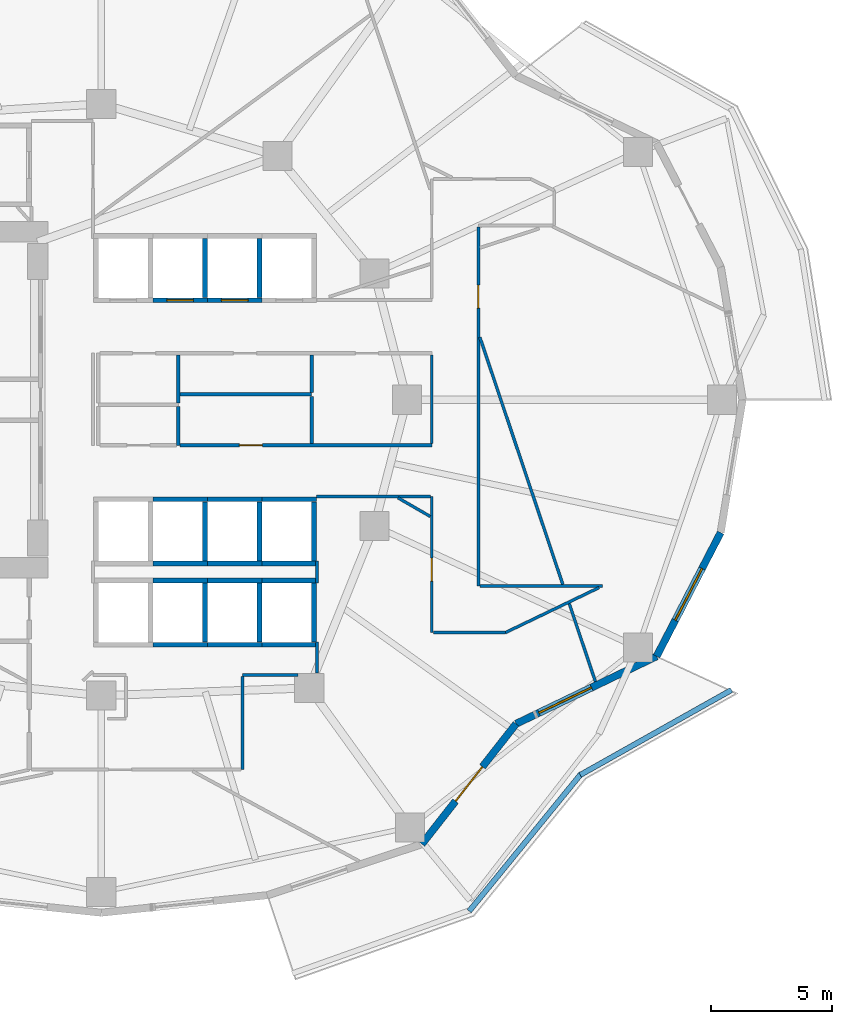
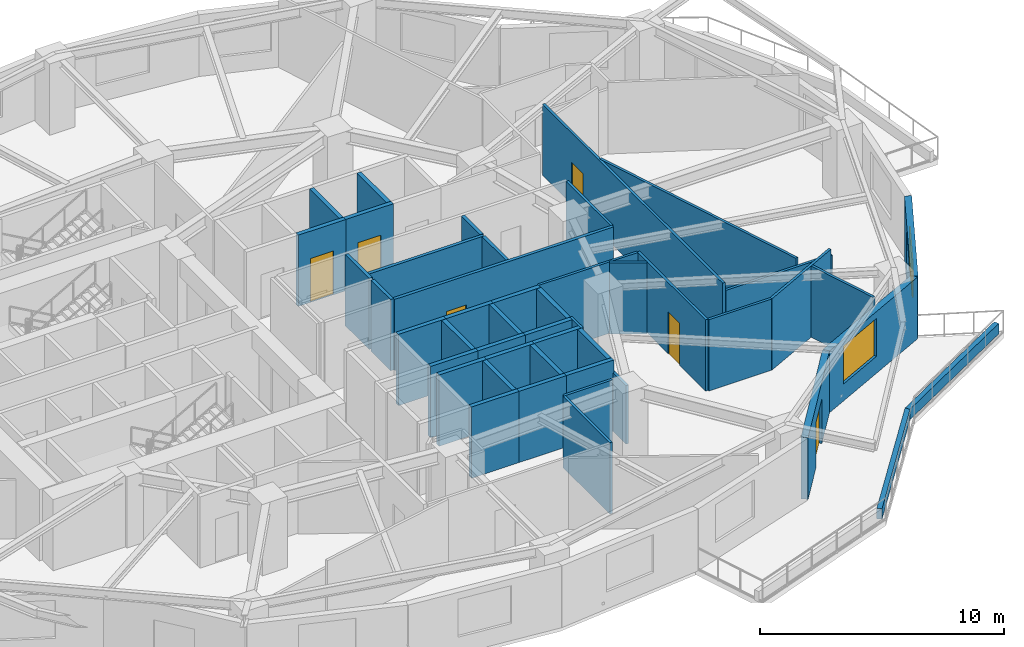
# One storey, part 5 of 11: 47 walls, 6 doors, 2 windows, 8 openings.
"""IFC4 building model written with IfcOpenShell, lengths in metres."""

from ifc_helpers import new_model, si_unit, direction, frame, frame_2d, origin, place, context, subcontext, project, spatial, rectangle, extrude, material, layer, layer_set, type_object, element, fill, save


model = new_model("IFC4")

# Units and contexts
model_context = context("Model", 3, precision=1e-05, world=origin(), true_north=direction((0.0, 1.0)))
body_context = subcontext(model_context, "Body", "Model", "MODEL_VIEW")
ifc_project = project(units=[si_unit("LENGTHUNIT", "METRE"), si_unit("AREAUNIT", "SQUARE_METRE"), si_unit("VOLUMEUNIT", "CUBIC_METRE"), si_unit("PLANEANGLEUNIT", "RADIAN"), si_unit("MASSUNIT", "GRAM", prefix="KILO")], contexts=[model_context])

# Site, building, storey
site_placement = place(None, origin())
site = spatial("IfcSite", under=ifc_project, at=site_placement, CompositionType="ELEMENT")
building_placement = place(site_placement, origin())
building = spatial("IfcBuilding", under=site, at=building_placement, Name="Kolvaren Gate Tower and Convention Centre", CompositionType="ELEMENT")
storey_placement = place(building_placement, frame((0.0, 0.0, 88.10009765625)))
storey = spatial("IfcBuildingStorey", under=building, at=storey_placement, Name="L21", CompositionType="ELEMENT", Elevation=88.10009765625)

# Walls
ifc_material_1 = material(Name="Fire-Rated Acoustic Gypsum Stud Partition", Category="gypsum")
ifc_layer_1 = layer(ifc_material_1, 0.1201171875)
ifc_layer_set_1 = layer_set([ifc_layer_1], Name="Fire-Rated Acoustic Gypsum Stud Partition")
wall_type_1 = type_object("IfcWallType", Name="ARCH-WL-PART-120", PredefinedType="PARTITIONING", material=ifc_layer_set_1)
wall_1_placement = place(storey_placement, frame((35.949951171875, 15.64990234375, 0.0), z_axis=(0.0, 0.0, 1.0), x_axis=(1.0, 0.0, 0.0)))
element("IfcWall", 1, at=wall_1_placement, inside=storey, type_object=wall_type_1, Name="Interior Partition WL-L21-INT-023", PredefinedType="PARTITIONING", context=body_context, shape_type="SweptSolid", body=[
    extrude(rectangle(XDim=2.291015625, YDim=0.1201171875, at=frame_2d((1.1455078125, 0.0))), origin(), (0.0, 0.0, 1.0), 3.56982421875),
])
wall_2_placement = place(storey_placement, frame((35.949951171875, 11.75, 0.0), z_axis=(0.0, 0.0, 1.0), x_axis=(0.0, 1.0, 0.0)))
element("IfcWall", 2, at=wall_2_placement, inside=storey, type_object=wall_type_1, Name="Interior Partition WL-L21-INT-024", PredefinedType="PARTITIONING", context=body_context, shape_type="SweptSolid", body=[
    extrude(rectangle(XDim=3.837890625, YDim=0.1201171875, at=frame_2d((1.9189453125, 0.0))), origin(), (0.0, 0.0, 1.0), 3.56982421875),
])

# Wall, opening, door
wall_3_placement = place(storey_placement, frame((43.75, 17.39990234375, 0.0), z_axis=(0.0, 0.0, 1.0), x_axis=(0.0, 1.0, 0.0)))
wall_3 = element("IfcWall", 3, at=wall_3_placement, inside=storey, type_object=wall_type_1, Name="Interior Partition WL-L21-INT-032", PredefinedType="PARTITIONING", context=body_context, shape_type="SweptSolid", body=[
    extrude(rectangle(XDim=5.6201171875, YDim=0.1201171875, at=frame_2d((2.81005859375, 0.0))), origin(), (0.0, 0.0, 1.0), 3.56982421875),
])
opening_1_placement = place(wall_3_placement, frame((2.125, 0.0, 0.0)))
opening_1 = element("IfcOpeningElement", 4, at=opening_1_placement, cuts=wall_3, Name="Opening DR-01", PredefinedType="OPENING", context=body_context, shape_type="SweptSolid", body=[
    extrude(rectangle(XDim=0.949951171875, YDim=2.10009765625, at=frame_2d((0.47509765625, 1.050048828125))), frame((0.0, 0.070068359375, 0.0), z_axis=(0.0, -1.0, 0.0), x_axis=(1.0, 0.0, 0.0)), (0.0, 0.0, 1.0), 0.14013671875),
])
ifc_material_2 = material(Name="Painted Architectural Steelwork ASTM A500 Grade C 345 MPa", Category="steel")
door_type_1 = type_object("IfcDoorType", Name="ARCH-DR-RISER-950", OperationType="SINGLE_SWING_RIGHT", PredefinedType="DOOR", material=ifc_material_2)
door_1_placement = place(opening_1_placement, origin())
door_1 = element("IfcDoor", 5, at=door_1_placement, inside=storey, type_object=door_type_1, Name="Conference and Training Seminar Room Door", OperationType="SINGLE_SWING_LEFT", OverallHeight=2.10009765625, OverallWidth=0.949951171875, PredefinedType="DOOR", context=body_context, shape_type="SweptSolid", body=[
    extrude(rectangle(XDim=0.949951171875, YDim=2.10009765625, at=frame_2d((0.47509765625, 1.050048828125))), frame((0.0, 0.02490234375, 0.0), z_axis=(0.0, -1.0, 0.0), x_axis=(1.0, 0.0, 0.0)), (0.0, 0.0, 1.0), 0.050048828125),
])
fill(opening_1, door_1)

# Wall
wall_4_placement = place(storey_placement, frame((43.75, 25.197021484375, 0.0), z_axis=(0.0, 0.0, 1.0), x_axis=(0.0, 1.0, 0.0)))
element("IfcWall", 6, at=wall_4_placement, inside=storey, type_object=wall_type_1, Name="Interior Partition WL-L21-INT-033", PredefinedType="PARTITIONING", context=body_context, shape_type="SweptSolid", body=[
    extrude(rectangle(XDim=3.64599609375, YDim=0.1201171875, at=frame_2d((1.822998046875, 0.0))), origin(), (0.0, 0.0, 1.0), 3.56982421875),
])

# Wall, opening, door
wall_5_placement = place(storey_placement, frame((45.669921875, 19.320068359375, 0.0), z_axis=(0.0, 0.0, 1.0), x_axis=(0.0, 1.0, 0.0)))
wall_5 = element("IfcWall", 7, at=wall_5_placement, inside=storey, type_object=wall_type_1, Name="Interior Partition WL-L21-INT-039", PredefinedType="PARTITIONING", context=body_context, shape_type="SweptSolid", body=[
    extrude(rectangle(XDim=14.7978515625, YDim=0.1201171875, at=frame_2d((7.39892578125, 0.0))), origin(), (0.0, 0.0, 1.0), 3.56982421875),
])
opening_2_placement = place(wall_5_placement, frame((11.4580078125, 0.0, 0.0)))
opening_2 = element("IfcOpeningElement", 8, at=opening_2_placement, cuts=wall_5, Name="Opening DR-01", PredefinedType="OPENING", context=body_context, shape_type="SweptSolid", body=[
    extrude(rectangle(XDim=0.949951171875, YDim=2.10009765625, at=frame_2d((0.47509765625, 1.050048828125))), frame((0.0, 0.070068359375, 0.0), z_axis=(0.0, -1.0, 0.0), x_axis=(1.0, 0.0, 0.0)), (0.0, 0.0, 1.0), 0.14013671875),
])
door_2_placement = place(opening_2_placement, origin())
door_2 = element("IfcDoor", 9, at=door_2_placement, inside=storey, type_object=door_type_1, Name="Conference and Training Seminar Room Door", OperationType="SINGLE_SWING_RIGHT", OverallHeight=2.10009765625, OverallWidth=0.949951171875, PredefinedType="DOOR", context=body_context, shape_type="SweptSolid", body=[
    extrude(rectangle(XDim=0.949951171875, YDim=2.10009765625, at=frame_2d((0.47509765625, 1.050048828125))), frame((0.0, 0.02490234375, 0.0), z_axis=(0.0, -1.0, 0.0), x_axis=(1.0, 0.0, 0.0)), (0.0, 0.0, 1.0), 0.050048828125),
])
fill(opening_2, door_2)

# Walls
wall_6_placement = place(storey_placement, frame((45.73193359375, 19.320068359375, 0.0), z_axis=(0.0, 0.0, 1.0), x_axis=(1.0, 0.0, 0.0)))
element("IfcWall", 10, at=wall_6_placement, inside=storey, type_object=wall_type_1, Name="Interior Partition WL-L21-INT-040", PredefinedType="PARTITIONING", context=body_context, shape_type="SweptSolid", body=[
    extrude(rectangle(XDim=5.047119140625, YDim=0.1201171875, at=frame_2d((2.5234375, 0.0))), origin(), (0.0, 0.0, 1.0), 3.204833984375),
])
wall_7_placement = place(storey_placement, frame((46.782958984375, 17.39990234375, 0.0), z_axis=(0.0, 0.0, 1.0), x_axis=(0.901339159108, 0.433113980679, 0.0)))
element("IfcWall", 11, at=wall_7_placement, inside=storey, type_object=wall_type_1, Name="Interior Partition WL-L21-INT-041", PredefinedType="PARTITIONING", context=body_context, shape_type="SweptSolid", body=[
    extrude(rectangle(XDim=4.290283203125, YDim=0.1201171875, at=frame_2d((2.14501953125, 0.0))), origin(), (0.0, 0.0, 1.0), 3.56982421875),
])
wall_8_placement = place(storey_placement, frame((43.81201171875, 17.39990234375, 0.0), z_axis=(0.0, 0.0, 1.0), x_axis=(1.0, 0.0, 0.0)))
element("IfcWall", 12, at=wall_8_placement, inside=storey, type_object=wall_type_1, Name="Interior Partition WL-L21-INT-042", PredefinedType="PARTITIONING", context=body_context, shape_type="SweptSolid", body=[
    extrude(rectangle(XDim=2.970947265625, YDim=0.1201171875, at=frame_2d((1.4853515625, 0.0))), origin(), (0.0, 0.0, 1.0), 3.56982421875),
])
wall_9_placement = place(storey_placement, frame((39.0, 23.02001953125, 0.0), z_axis=(0.0, 0.0, 1.0), x_axis=(1.0, 0.0, 0.0)))
element("IfcWall", 13, at=wall_9_placement, inside=storey, type_object=wall_type_1, Name="Interior Partition WL-L21-INT-043", PredefinedType="PARTITIONING", context=body_context, shape_type="SweptSolid", body=[
    extrude(rectangle(XDim=4.68798828125, YDim=0.1201171875, at=frame_2d((2.343994140625, 0.0))), origin(), (0.0, 0.0, 1.0), 3.56982421875),
])
wall_10_placement = place(storey_placement, frame((39.02001953125, 15.741943359375, 0.0), z_axis=(0.0, 0.0, 1.0), x_axis=(0.0, 1.0, 0.0)))
element("IfcWall", 14, at=wall_10_placement, inside=storey, type_object=wall_type_1, Name="Interior Partition WL-L21-INT-044", PredefinedType="PARTITIONING", context=body_context, shape_type="SweptSolid", body=[
    extrude(rectangle(XDim=1.26806640625, YDim=0.1201171875, at=frame_2d((0.634033203125, 0.0))), origin(), (0.0, 0.0, 1.0), 2.933837890625),
])
wall_11_placement = place(storey_placement, frame((39.02001953125, 19.43994140625, 0.0), z_axis=(0.0, 0.0, 1.0), x_axis=(0.0, 1.0, 0.0)))
element("IfcWall", 15, at=wall_11_placement, inside=storey, type_object=wall_type_1, Name="Interior Partition WL-L21-INT-044 (2)", PredefinedType="PARTITIONING", context=body_context, shape_type="SweptSolid", body=[
    extrude(rectangle(XDim=0.920166015625, YDim=0.1201171875, at=frame_2d((0.4599609375, 0.0))), origin(), (0.0, 0.0, 1.0), 3.56982421875),
])
wall_12_placement = place(storey_placement, frame((42.35546875, 22.9580078125, 0.0), z_axis=(0.0, 0.0, 1.0), x_axis=(0.866037617598, -0.499978844458, 0.0)))
element("IfcWall", 16, at=wall_12_placement, inside=storey, type_object=wall_type_1, Name="Interior Partition WL-L21-INT-053", PredefinedType="PARTITIONING", context=body_context, shape_type="SweptSolid", body=[
    extrude(rectangle(XDim=1.53857421875, YDim=0.1201171875, at=frame_2d((0.769287109375, 0.0))), origin(), (0.0, 0.0, 1.0), 3.56982421875),
])
wall_13_placement = place(storey_placement, frame((45.73193359375, 29.5791015625, 0.0), z_axis=(0.0, 0.0, 1.0), x_axis=(0.318099793934, -0.948057235139, 0.0)))
element("IfcWall", 17, at=wall_13_placement, inside=storey, type_object=wall_type_1, Name="Interior Partition WL-L21-INT-055", PredefinedType="PARTITIONING", context=body_context, shape_type="SweptSolid", body=[
    extrude(rectangle(XDim=10.755615234375, YDim=0.1201171875, at=frame_2d((5.3779296875, 0.0))), origin(), (0.0, 0.0, 1.0), 3.56982421875),
])
wall_14_placement = place(storey_placement, frame((49.4169921875, 18.5966796875, 0.0), z_axis=(0.0, 0.0, 1.0), x_axis=(0.318105552227, -0.948055303051, 0.0)))
element("IfcWall", 18, at=wall_14_placement, inside=storey, type_object=wall_type_1, Name="Interior Partition WL-L21-INT-056", PredefinedType="PARTITIONING", context=body_context, shape_type="SweptSolid", body=[
    extrude(rectangle(XDim=3.392333984375, YDim=0.1201171875, at=frame_2d((1.6962890625, 0.0))), origin(), (0.0, 0.0, 1.0), 3.56982421875),
])
ifc_material_3 = material(Name="Piedmont Cream Honed Limestone Cladding", Category="masonry")
ifc_layer_2 = layer(ifc_material_3, 0.219970703125)
ifc_layer_set_2 = layer_set([ifc_layer_2], Name="Piedmont Cream Honed Limestone Cladding")
wall_type_2 = type_object("IfcWallType", Name="ARCH-WL-PLANTER-220", PredefinedType="PARAPET", material=ifc_layer_set_2)
wall_15_placement = place(storey_placement, frame((45.2919921875, 5.91796875, 0.0), z_axis=(0.0, 0.0, 1.0), x_axis=(0.631819273026, 0.775115737315, 0.0)))
element("IfcWall", 19, at=wall_15_placement, inside=storey, type_object=wall_type_2, Name="Vertical-Forest Balcony Stone Planter Kerb PK-L21-4.2", PredefinedType="PARAPET", context=body_context, shape_type="SweptSolid", body=[
    extrude(rectangle(XDim=7.31591796875, YDim=0.219970703125, at=frame_2d((3.657958984375, 0.0))), origin(), (0.0, 0.0, 1.0), 0.52001953125),
])
wall_16_placement = place(storey_placement, frame((49.867919921875, 11.530517578125, 0.0), z_axis=(0.0, 0.0, 1.0), x_axis=(0.871775109335, 0.489906275468, 0.0)))
element("IfcWall", 20, at=wall_16_placement, inside=storey, type_object=wall_type_2, Name="Vertical-Forest Balcony Stone Planter Kerb PK-L21-4.3", PredefinedType="PARAPET", context=body_context, shape_type="SweptSolid", body=[
    extrude(rectangle(XDim=7.152099609375, YDim=0.219970703125, at=frame_2d((3.576171875, 0.0))), origin(), (0.0, 0.0, 1.0), 0.52001953125),
])

# Wall, opening, door
ifc_material_4 = material(Name="Autoclaved Aerated Masonry Blockwork Class 4 (4.0 MPa)", Category="masonry")
ifc_layer_3 = layer(ifc_material_4, 0.199951171875)
ifc_layer_set_3 = layer_set([ifc_layer_3], Name="Autoclaved Aerated Masonry Blockwork Class 4 (4.0 MPa)")
wall_type_3 = type_object("IfcWallType", Name="ARCH-WL-SHAFT-200", PredefinedType="SOLIDWALL", material=ifc_layer_set_3)
wall_17_placement = place(storey_placement, frame((32.25, 31.10009765625, 0.0), z_axis=(0.0, 0.0, 1.0), x_axis=(1.0, 0.0, 0.0)))
wall_17 = element("IfcWall", 21, at=wall_17_placement, inside=storey, type_object=wall_type_3, Name="Elevator PL-02 L21 Fire Shaft Wall S", PredefinedType="SOLIDWALL", context=body_context, shape_type="SweptSolid", body=[
    extrude(rectangle(XDim=2.25, YDim=0.199951171875, at=frame_2d((1.125, 0.0))), origin(), (0.0, 0.0, 1.0), 3.56982421875),
])
opening_3_placement = place(wall_17_placement, frame((0.574951171875, 0.0, 0.0)))
opening_3 = element("IfcOpeningElement", 22, at=opening_3_placement, cuts=wall_17, Name="Opening LD", PredefinedType="OPENING", context=body_context, shape_type="SweptSolid", body=[
    extrude(rectangle(XDim=1.10009765625, YDim=2.199951171875, at=frame_2d((0.550048828125, 1.10009765625))), frame((0.0, 0.10986328125, 0.0), z_axis=(0.0, -1.0, 0.0), x_axis=(1.0, 0.0, 0.0)), (0.0, 0.0, 1.0), 0.219970703125),
])
ifc_material_5 = material(Name="Brushed Stainless Steel Grade 316L", Category="steel")
door_type_2 = type_object("IfcDoorType", Name="ARCH-DR-LIFT-1100", OperationType="SLIDING_TO_LEFT", PredefinedType="DOOR", material=ifc_material_5)
door_3_placement = place(opening_3_placement, origin())
door_3 = element("IfcDoor", 23, at=door_3_placement, inside=storey, type_object=door_type_2, Name="Elevator PL-02 L21 Sliding Landing Door", OperationType="SLIDING_TO_LEFT", OverallHeight=2.199951171875, OverallWidth=1.10009765625, PredefinedType="DOOR", context=body_context, shape_type="SweptSolid", body=[
    extrude(rectangle(XDim=1.10009765625, YDim=2.199951171875, at=frame_2d((0.550048828125, 1.10009765625))), frame((0.0, 0.02490234375, 0.0), z_axis=(0.0, -1.0, 0.0), x_axis=(1.0, 0.0, 0.0)), (0.0, 0.0, 1.0), 0.050048828125),
])
fill(opening_3, door_3)

# Wall
wall_18_placement = place(storey_placement, frame((34.39990234375, 31.2099609375, 0.0), z_axis=(0.0, 0.0, 1.0), x_axis=(0.0, 1.0, 0.0)))
element("IfcWall", 24, at=wall_18_placement, inside=storey, type_object=wall_type_3, Name="Elevator PL-02 L21 Fire Shaft Wall E", PredefinedType="SOLIDWALL", context=body_context, shape_type="SweptSolid", body=[
    extrude(rectangle(XDim=2.429931640625, YDim=0.199951171875, at=frame_2d((1.21484375, 0.0))), origin(), (0.0, 0.0, 1.0), 3.56982421875),
])

# Wall, opening, door
wall_19_placement = place(storey_placement, frame((34.5, 31.10009765625, 0.0), z_axis=(0.0, 0.0, 1.0), x_axis=(1.0, 0.0, 0.0)))
wall_19 = element("IfcWall", 25, at=wall_19_placement, inside=storey, type_object=wall_type_3, Name="Elevator PL-03 L21 Fire Shaft Wall S", PredefinedType="SOLIDWALL", context=body_context, shape_type="SweptSolid", body=[
    extrude(rectangle(XDim=2.25, YDim=0.199951171875, at=frame_2d((1.125, 0.0))), origin(), (0.0, 0.0, 1.0), 3.56982421875),
])
opening_4_placement = place(wall_19_placement, frame((0.574951171875, 0.0, 0.0)))
opening_4 = element("IfcOpeningElement", 26, at=opening_4_placement, cuts=wall_19, Name="Opening LD", PredefinedType="OPENING", context=body_context, shape_type="SweptSolid", body=[
    extrude(rectangle(XDim=1.10009765625, YDim=2.199951171875, at=frame_2d((0.550048828125, 1.10009765625))), frame((0.0, 0.10986328125, 0.0), z_axis=(0.0, -1.0, 0.0), x_axis=(1.0, 0.0, 0.0)), (0.0, 0.0, 1.0), 0.219970703125),
])
door_4_placement = place(opening_4_placement, origin())
door_4 = element("IfcDoor", 27, at=door_4_placement, inside=storey, type_object=door_type_2, Name="Elevator PL-03 L21 Sliding Landing Door", OperationType="SLIDING_TO_LEFT", OverallHeight=2.199951171875, OverallWidth=1.10009765625, PredefinedType="DOOR", context=body_context, shape_type="SweptSolid", body=[
    extrude(rectangle(XDim=1.10009765625, YDim=2.199951171875, at=frame_2d((0.550048828125, 1.10009765625))), frame((0.0, 0.02490234375, 0.0), z_axis=(0.0, -1.0, 0.0), x_axis=(1.0, 0.0, 0.0)), (0.0, 0.0, 1.0), 0.050048828125),
])
fill(opening_4, door_4)

# Walls
wall_20_placement = place(storey_placement, frame((36.64990234375, 31.2099609375, 0.0), z_axis=(0.0, 0.0, 1.0), x_axis=(0.0, 1.0, 0.0)))
element("IfcWall", 28, at=wall_20_placement, inside=storey, type_object=wall_type_3, Name="Elevator PL-03 L21 Fire Shaft Wall E", PredefinedType="SOLIDWALL", context=body_context, shape_type="SweptSolid", body=[
    extrude(rectangle(XDim=2.429931640625, YDim=0.199951171875, at=frame_2d((1.21484375, 0.0))), origin(), (0.0, 0.0, 1.0), 3.56982421875),
])
for number, where, z_axis, x_axis, name in (
    (29, (32.25, 19.550048828125, 0.0), (0.0, 0.0, 1.0), (1.0, 0.0, 0.0), "Elevator PL-06 L21 Fire Shaft Wall N"),
    (30, (32.25, 16.89990234375, 0.0), (0.0, 0.0, 1.0), (1.0, 0.0, 0.0), "Elevator PL-06 L21 Fire Shaft Wall S"),
):
    element("IfcWall", number, at=place(storey_placement, frame(where, z_axis=z_axis, x_axis=x_axis)), inside=storey, type_object=wall_type_3, Name=name, PredefinedType="SOLIDWALL", context=body_context, shape_type="SweptSolid", body=[
        extrude(rectangle(XDim=2.25, YDim=0.199951171875, at=frame_2d((1.125, 0.0))), origin(), (0.0, 0.0, 1.0), 3.56982421875),
    ])
wall_21_placement = place(storey_placement, frame((34.39990234375, 17.010009765625, 0.0), z_axis=(0.0, 0.0, 1.0), x_axis=(0.0, 1.0, 0.0)))
element("IfcWall", 31, at=wall_21_placement, inside=storey, type_object=wall_type_3, Name="Elevator PL-06 L21 Fire Shaft Wall E", PredefinedType="SOLIDWALL", context=body_context, shape_type="SweptSolid", body=[
    extrude(rectangle(XDim=2.429931640625, YDim=0.199951171875, at=frame_2d((1.21484375, 0.0))), origin(), (0.0, 0.0, 1.0), 3.56982421875),
])
for number, where, z_axis, x_axis, name in (
    (32, (34.5, 19.550048828125, 0.0), (0.0, 0.0, 1.0), (1.0, 0.0, 0.0), "Elevator PL-07 L21 Fire Shaft Wall N"),
    (33, (34.5, 16.89990234375, 0.0), (0.0, 0.0, 1.0), (1.0, 0.0, 0.0), "Elevator PL-07 L21 Fire Shaft Wall S"),
):
    element("IfcWall", number, at=place(storey_placement, frame(where, z_axis=z_axis, x_axis=x_axis)), inside=storey, type_object=wall_type_3, Name=name, PredefinedType="SOLIDWALL", context=body_context, shape_type="SweptSolid", body=[
        extrude(rectangle(XDim=2.25, YDim=0.199951171875, at=frame_2d((1.125, 0.0))), origin(), (0.0, 0.0, 1.0), 3.56982421875),
    ])
wall_22_placement = place(storey_placement, frame((36.64990234375, 17.010009765625, 0.0), z_axis=(0.0, 0.0, 1.0), x_axis=(0.0, 1.0, 0.0)))
element("IfcWall", 34, at=wall_22_placement, inside=storey, type_object=wall_type_3, Name="Elevator PL-07 L21 Fire Shaft Wall E", PredefinedType="SOLIDWALL", context=body_context, shape_type="SweptSolid", body=[
    extrude(rectangle(XDim=2.429931640625, YDim=0.199951171875, at=frame_2d((1.21484375, 0.0))), origin(), (0.0, 0.0, 1.0), 3.56982421875),
])
for number, where, z_axis, x_axis, name in (
    (35, (36.75, 19.550048828125, 0.0), (0.0, 0.0, 1.0), (1.0, 0.0, 0.0), "Elevator PL-08 L21 Fire Shaft Wall N"),
    (36, (36.75, 16.89990234375, 0.0), (0.0, 0.0, 1.0), (1.0, 0.0, 0.0), "Elevator PL-08 L21 Fire Shaft Wall S"),
):
    element("IfcWall", number, at=place(storey_placement, frame(where, z_axis=z_axis, x_axis=x_axis)), inside=storey, type_object=wall_type_3, Name=name, PredefinedType="SOLIDWALL", context=body_context, shape_type="SweptSolid", body=[
        extrude(rectangle(XDim=2.25, YDim=0.199951171875, at=frame_2d((1.125, 0.0))), origin(), (0.0, 0.0, 1.0), 3.56982421875),
    ])
wall_23_placement = place(storey_placement, frame((38.89990234375, 17.010009765625, 0.0), z_axis=(0.0, 0.0, 1.0), x_axis=(0.0, 1.0, 0.0)))
element("IfcWall", 37, at=wall_23_placement, inside=storey, type_object=wall_type_3, Name="Elevator PL-08 L21 Fire Shaft Wall E", PredefinedType="SOLIDWALL", context=body_context, shape_type="SweptSolid", body=[
    extrude(rectangle(XDim=2.429931640625, YDim=0.199951171875, at=frame_2d((1.21484375, 0.0))), origin(), (0.0, 0.0, 1.0), 3.56982421875),
])
for number, where, z_axis, x_axis, name in (
    (38, (32.25, 22.89990234375, 0.0), (0.0, 0.0, 1.0), (1.0, 0.0, 0.0), "Elevator PL-10 L21 Fire Shaft Wall N"),
    (39, (32.25, 20.25, 0.0), (0.0, 0.0, 1.0), (1.0, 0.0, 0.0), "Elevator PL-10 L21 Fire Shaft Wall S"),
):
    element("IfcWall", number, at=place(storey_placement, frame(where, z_axis=z_axis, x_axis=x_axis)), inside=storey, type_object=wall_type_3, Name=name, PredefinedType="SOLIDWALL", context=body_context, shape_type="SweptSolid", body=[
        extrude(rectangle(XDim=2.25, YDim=0.199951171875, at=frame_2d((1.125, 0.0))), origin(), (0.0, 0.0, 1.0), 3.56982421875),
    ])
wall_24_placement = place(storey_placement, frame((34.39990234375, 20.360107421875, 0.0), z_axis=(0.0, 0.0, 1.0), x_axis=(0.0, 1.0, 0.0)))
element("IfcWall", 40, at=wall_24_placement, inside=storey, type_object=wall_type_3, Name="Elevator PL-10 L21 Fire Shaft Wall E", PredefinedType="SOLIDWALL", context=body_context, shape_type="SweptSolid", body=[
    extrude(rectangle(XDim=2.429931640625, YDim=0.199951171875, at=frame_2d((1.21484375, 0.0))), origin(), (0.0, 0.0, 1.0), 3.56982421875),
])
for number, where, z_axis, x_axis, name in (
    (41, (34.5, 22.89990234375, 0.0), (0.0, 0.0, 1.0), (1.0, 0.0, 0.0), "Elevator PL-11 L21 Fire Shaft Wall N"),
    (42, (34.5, 20.25, 0.0), (0.0, 0.0, 1.0), (1.0, 0.0, 0.0), "Elevator PL-11 L21 Fire Shaft Wall S"),
):
    element("IfcWall", number, at=place(storey_placement, frame(where, z_axis=z_axis, x_axis=x_axis)), inside=storey, type_object=wall_type_3, Name=name, PredefinedType="SOLIDWALL", context=body_context, shape_type="SweptSolid", body=[
        extrude(rectangle(XDim=2.25, YDim=0.199951171875, at=frame_2d((1.125, 0.0))), origin(), (0.0, 0.0, 1.0), 3.56982421875),
    ])
wall_25_placement = place(storey_placement, frame((36.64990234375, 20.360107421875, 0.0), z_axis=(0.0, 0.0, 1.0), x_axis=(0.0, 1.0, 0.0)))
element("IfcWall", 43, at=wall_25_placement, inside=storey, type_object=wall_type_3, Name="Elevator PL-11 L21 Fire Shaft Wall E", PredefinedType="SOLIDWALL", context=body_context, shape_type="SweptSolid", body=[
    extrude(rectangle(XDim=2.429931640625, YDim=0.199951171875, at=frame_2d((1.21484375, 0.0))), origin(), (0.0, 0.0, 1.0), 3.56982421875),
])
for number, where, z_axis, x_axis, name in (
    (44, (36.75, 22.89990234375, 0.0), (0.0, 0.0, 1.0), (1.0, 0.0, 0.0), "Elevator PL-12 L21 Fire Shaft Wall N"),
    (45, (36.75, 20.25, 0.0), (0.0, 0.0, 1.0), (1.0, 0.0, 0.0), "Elevator PL-12 L21 Fire Shaft Wall S"),
):
    element("IfcWall", number, at=place(storey_placement, frame(where, z_axis=z_axis, x_axis=x_axis)), inside=storey, type_object=wall_type_3, Name=name, PredefinedType="SOLIDWALL", context=body_context, shape_type="SweptSolid", body=[
        extrude(rectangle(XDim=2.25, YDim=0.199951171875, at=frame_2d((1.125, 0.0))), origin(), (0.0, 0.0, 1.0), 3.56982421875),
    ])
wall_26_placement = place(storey_placement, frame((38.89990234375, 20.360107421875, 0.0), z_axis=(0.0, 0.0, 1.0), x_axis=(0.0, 1.0, 0.0)))
element("IfcWall", 46, at=wall_26_placement, inside=storey, type_object=wall_type_3, Name="Elevator PL-12 L21 Fire Shaft Wall E", PredefinedType="SOLIDWALL", context=body_context, shape_type="SweptSolid", body=[
    extrude(rectangle(XDim=2.429931640625, YDim=0.199951171875, at=frame_2d((1.21484375, 0.0))), origin(), (0.0, 0.0, 1.0), 3.56982421875),
])

# Wall, opening, door
ifc_layer_4 = layer(ifc_material_3, 0.300048828125)
ifc_layer_set_4 = layer_set([ifc_layer_4], Name="Piedmont Cream Honed Limestone Cladding")
wall_type_4 = type_object("IfcWallType", Name="ARCH-WL-STONE-300", PredefinedType="SOLIDWALL", material=ifc_layer_set_4)
wall_27_placement = place(storey_placement, frame((43.34375, 8.68359375, 0.0), z_axis=(0.0, 0.0, 1.0), x_axis=(0.616434798832, 0.78740595552, 0.0)))
wall_27 = element("IfcWall", 47, at=wall_27_placement, inside=storey, type_object=wall_type_4, Name="Tower L21 Honed Stone Spandrel Wall EW-20", PredefinedType="SOLIDWALL", context=body_context, shape_type="SweptSolid", body=[
    extrude(rectangle(XDim=6.29443359375, YDim=0.300048828125, at=frame_2d((3.147216796875, 0.0))), origin(), (0.0, 0.0, 1.0), 3.093017578125),
])
opening_5_placement = place(wall_27_placement, frame((2.2470703125, 0.0, 0.0)))
opening_5 = element("IfcOpeningElement", 48, at=opening_5_placement, cuts=wall_27, Name="Opening DB-01", PredefinedType="OPENING", context=body_context, shape_type="SweptSolid", body=[
    extrude(rectangle(XDim=1.800048828125, YDim=2.25, at=frame_2d((0.89990234375, 1.125))), frame((0.0, 0.159912109375, 0.0), z_axis=(0.0, -1.0, 0.0), x_axis=(1.0, 0.0, 0.0)), (0.0, 0.0, 1.0), 0.320068359375),
])
ifc_material_6 = material(Name="Anodized Architectural Aluminium Alloy 6063-T6", Category="aluminium")
door_type_3 = type_object("IfcDoorType", Name="ARCH-DR-BALC-1800", OperationType="SLIDING_TO_LEFT", PredefinedType="DOOR", material=ifc_material_6)
door_5_placement = place(opening_5_placement, frame((1.800048828125, 0.0, 0.0), z_axis=(0.0, 0.0, 1.0), x_axis=(-1.0, 0.0, 0.0)))
door_5 = element("IfcDoor", 49, at=door_5_placement, inside=storey, type_object=door_type_3, Name="Planted Sky Terrace Access Door DB-L21-20", OperationType="SLIDING_TO_LEFT", OverallHeight=2.25, OverallWidth=1.800048828125, PredefinedType="DOOR", context=body_context, shape_type="SweptSolid", body=[
    extrude(rectangle(XDim=1.800048828125, YDim=2.25, at=frame_2d((0.89990234375, 1.125))), frame((0.0, 0.02490234375, 0.0), z_axis=(0.0, -1.0, 0.0), x_axis=(1.0, 0.0, 0.0)), (0.0, 0.0, 1.0), 0.050048828125),
])
fill(opening_5, door_5)

# Wall, opening, window
wall_28_placement = place(storey_placement, frame((47.223876953125, 13.639892578125, 0.0), z_axis=(0.0, 0.0, 1.0), x_axis=(0.901354747727, 0.433081538224, 0.0)))
wall_28 = element("IfcWall", 50, at=wall_28_placement, inside=storey, type_object=wall_type_4, Name="Tower L21 Honed Stone Spandrel Wall EW-21", PredefinedType="SOLIDWALL", context=body_context, shape_type="SweptSolid", body=[
    extrude(rectangle(XDim=6.430908203125, YDim=0.300048828125, at=frame_2d((3.21533203125, 0.0))), origin(), (0.0, 0.0, 1.0), 3.093017578125),
])
opening_6_placement = place(wall_28_placement, frame((1.050048828125, 0.0, 0.85009765625)))
opening_6 = element("IfcOpeningElement", 51, at=opening_6_placement, cuts=wall_28, Name="Opening W-01", PredefinedType="OPENING", context=body_context, shape_type="SweptSolid", body=[
    extrude(rectangle(XDim=2.39990234375, YDim=1.89990234375, at=frame_2d((1.199951171875, 0.949951171875))), frame((0.0, 0.159912109375, 0.0), z_axis=(0.0, -1.0, 0.0), x_axis=(1.0, 0.0, 0.0)), (0.0, 0.0, 1.0), 0.320068359375),
])
ifc_material_7 = material(Name="Low-E Triple Insulated Glazing Unit 44 mm", Category="glass")
window_type = type_object("IfcWindowType", Name="ARCH-WN-OFF-2400", PartitioningType="SINGLE_PANEL", PredefinedType="WINDOW", material=ifc_material_7)
window_1_placement = place(opening_6_placement, origin())
window_1 = element("IfcWindow", 52, at=window_1_placement, inside=storey, type_object=window_type, Name="Tower L21 Punched Stone Facade Window W-21", OverallHeight=1.89990234375, OverallWidth=2.39990234375, PartitioningType="SINGLE_PANEL", PredefinedType="WINDOW", context=body_context, shape_type="SweptSolid", body=[
    extrude(rectangle(XDim=2.39990234375, YDim=1.89990234375, at=frame_2d((1.199951171875, 0.949951171875))), frame((0.0, 0.030029296875, 0.0), z_axis=(0.0, -1.0, 0.0), x_axis=(1.0, 0.0, 0.0)), (0.0, 0.0, 1.0), 0.06005859375),
])
fill(opening_6, window_1)

wall_29_placement = place(storey_placement, frame((53.0205078125, 16.425048828125, 0.0), z_axis=(0.0, 0.0, 1.0), x_axis=(0.459800981414, 0.888021991558, 0.0)))
wall_29 = element("IfcWall", 53, at=wall_29_placement, inside=storey, type_object=wall_type_4, Name="Tower L21 Honed Stone Spandrel Wall EW-22", PredefinedType="SOLIDWALL", context=body_context, shape_type="SweptSolid", body=[
    extrude(rectangle(XDim=5.744140625, YDim=0.300048828125, at=frame_2d((2.8720703125, 0.0))), origin(), (0.0, 0.0, 1.0), 3.093017578125),
])
opening_7_placement = place(wall_29_placement, frame((1.672119140625, 0.0, 0.85009765625)))
opening_7 = element("IfcOpeningElement", 54, at=opening_7_placement, cuts=wall_29, Name="Opening W-01", PredefinedType="OPENING", context=body_context, shape_type="SweptSolid", body=[
    extrude(rectangle(XDim=2.39990234375, YDim=1.89990234375, at=frame_2d((1.199951171875, 0.949951171875))), frame((0.0, 0.159912109375, 0.0), z_axis=(0.0, -1.0, 0.0), x_axis=(1.0, 0.0, 0.0)), (0.0, 0.0, 1.0), 0.320068359375),
])
window_2_placement = place(opening_7_placement, origin())
window_2 = element("IfcWindow", 55, at=window_2_placement, inside=storey, type_object=window_type, Name="Tower L21 Punched Stone Facade Window W-22", OverallHeight=1.89990234375, OverallWidth=2.39990234375, PartitioningType="SINGLE_PANEL", PredefinedType="WINDOW", context=body_context, shape_type="SweptSolid", body=[
    extrude(rectangle(XDim=2.39990234375, YDim=1.89990234375, at=frame_2d((1.199951171875, 0.949951171875))), frame((0.0, 0.030029296875, 0.0), z_axis=(0.0, -1.0, 0.0), x_axis=(1.0, 0.0, 0.0)), (0.0, 0.0, 1.0), 0.06005859375),
])
fill(opening_7, window_2)

# Walls
ifc_material_8 = material(Name="Moisture-Resistant Cement-Board Acoustic Partition", Category="gypsum")
ifc_layer_5 = layer(ifc_material_8, 0.14990234375)
ifc_layer_set_5 = layer_set([ifc_layer_5], Name="Moisture-Resistant Cement-Board Acoustic Partition")
wall_type_5 = type_object("IfcWallType", Name="ARCH-WL-WET-150", PredefinedType="PARTITIONING", material=ifc_layer_set_5)
wall_30_placement = place(storey_placement, frame((33.300048828125, 25.1201171875, 0.0), z_axis=(0.0, 0.0, 1.0), x_axis=(0.0, 1.0, 0.0)))
element("IfcWall", 56, at=wall_30_placement, inside=storey, type_object=wall_type_5, Name="Interior Partition WL-L21-INT-018", PredefinedType="PARTITIONING", context=body_context, shape_type="SweptSolid", body=[
    extrude(rectangle(XDim=1.602783203125, YDim=0.14990234375, at=frame_2d((0.80126953125, 0.0))), origin(), (0.0, 0.0, 1.0), 3.56982421875),
])
wall_31_placement = place(storey_placement, frame((33.300048828125, 26.876953125, 0.0), z_axis=(0.0, 0.0, 1.0), x_axis=(0.0, 1.0, 0.0)))
element("IfcWall", 57, at=wall_31_placement, inside=storey, type_object=wall_type_5, Name="Interior Partition WL-L21-INT-018 (2)", PredefinedType="PARTITIONING", context=body_context, shape_type="SweptSolid", body=[
    extrude(rectangle(XDim=1.966064453125, YDim=0.14990234375, at=frame_2d((0.98291015625, 0.0))), origin(), (0.0, 0.0, 1.0), 3.56982421875),
])

# Wall, opening, door
wall_32_placement = place(storey_placement, frame((33.376953125, 25.1201171875, 0.0), z_axis=(0.0, 0.0, 1.0), x_axis=(1.0, 0.0, 0.0)))
wall_32 = element("IfcWall", 58, at=wall_32_placement, inside=storey, type_object=wall_type_5, Name="Interior Partition WL-L21-INT-019 (2)", PredefinedType="PARTITIONING", context=body_context, shape_type="SweptSolid", body=[
    extrude(rectangle(XDim=10.373046875, YDim=0.14990234375, at=frame_2d((5.1865234375, 0.0))), origin(), (0.0, 0.0, 1.0), 3.56982421875),
])
opening_8_placement = place(wall_32_placement, frame((2.44140625, 0.0, 0.0)))
opening_8 = element("IfcOpeningElement", 59, at=opening_8_placement, cuts=wall_32, Name="Opening DR-01", PredefinedType="OPENING", context=body_context, shape_type="SweptSolid", body=[
    extrude(rectangle(XDim=0.949951171875, YDim=2.10009765625, at=frame_2d((0.47509765625, 1.050048828125))), frame((0.0, 0.0849609375, 0.0), z_axis=(0.0, -1.0, 0.0), x_axis=(1.0, 0.0, 0.0)), (0.0, 0.0, 1.0), 0.169921875),
])
door_6_placement = place(opening_8_placement, origin())
door_6 = element("IfcDoor", 60, at=door_6_placement, inside=storey, type_object=door_type_1, Name="Floor Coffee Pantry Door", OperationType="SINGLE_SWING_RIGHT", OverallHeight=2.10009765625, OverallWidth=0.949951171875, PredefinedType="DOOR", context=body_context, shape_type="SweptSolid", body=[
    extrude(rectangle(XDim=0.949951171875, YDim=2.10009765625, at=frame_2d((0.47509765625, 1.050048828125))), frame((0.0, 0.02490234375, 0.0), z_axis=(0.0, -1.0, 0.0), x_axis=(1.0, 0.0, 0.0)), (0.0, 0.0, 1.0), 0.050048828125),
])
fill(opening_8, door_6)

# Walls
wall_33_placement = place(storey_placement, frame((33.376953125, 27.219970703125, 0.0), z_axis=(0.0, 0.0, 1.0), x_axis=(1.0, 0.0, 0.0)))
element("IfcWall", 61, at=wall_33_placement, inside=storey, type_object=wall_type_5, Name="Interior Partition WL-L21-INT-020", PredefinedType="PARTITIONING", context=body_context, shape_type="SweptSolid", body=[
    extrude(rectangle(XDim=5.423095703125, YDim=0.14990234375, at=frame_2d((2.71142578125, 0.0))), origin(), (0.0, 0.0, 1.0), 3.56982421875),
])
wall_34_placement = place(storey_placement, frame((38.800048828125, 25.197021484375, 0.0), z_axis=(0.0, 0.0, 1.0), x_axis=(0.0, 1.0, 0.0)))
element("IfcWall", 62, at=wall_34_placement, inside=storey, type_object=wall_type_5, Name="Interior Partition WL-L21-INT-021", PredefinedType="PARTITIONING", context=body_context, shape_type="SweptSolid", body=[
    extrude(rectangle(XDim=1.946044921875, YDim=0.14990234375, at=frame_2d((0.97314453125, 0.0))), origin(), (0.0, 0.0, 1.0), 3.56982421875),
])
wall_35_placement = place(storey_placement, frame((38.800048828125, 27.297119140625, 0.0), z_axis=(0.0, 0.0, 1.0), x_axis=(0.0, 1.0, 0.0)))
element("IfcWall", 63, at=wall_35_placement, inside=storey, type_object=wall_type_5, Name="Interior Partition WL-L21-INT-021 (2)", PredefinedType="PARTITIONING", context=body_context, shape_type="SweptSolid", body=[
    extrude(rectangle(XDim=1.5458984375, YDim=0.14990234375, at=frame_2d((0.77294921875, 0.0))), origin(), (0.0, 0.0, 1.0), 3.56982421875),
])

save(model, "model.ifc")
